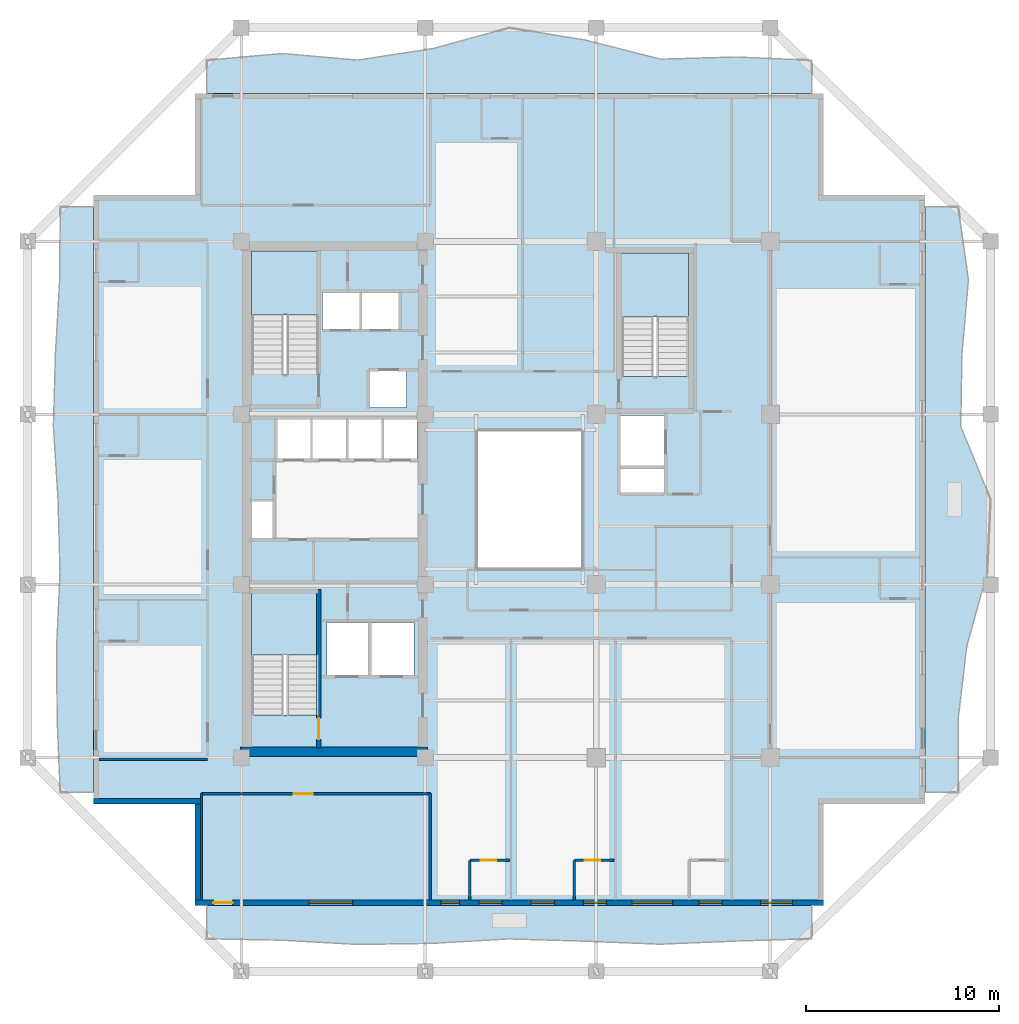
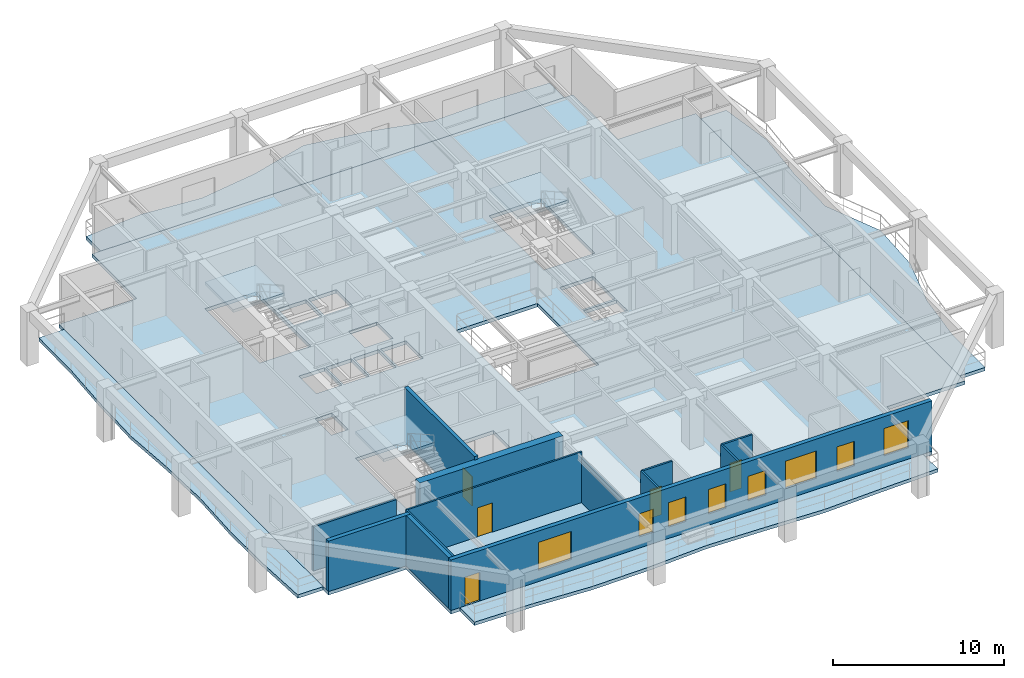
# One storey, part 2 of 13: 13 walls, 8 slabs, 8 windows, 5 doors, 13 openings, 3 elements without a shape of their own.
"""IFC4 building model written with IfcOpenShell, lengths in metres."""

from ifc_helpers import new_model, si_unit, direction, frame, frame_2d, origin, place, context, subcontext, project, spatial, polyline, rectangle, outline, extrude, material, layer, layer_set, type_object, element, fill, aggregate, save


model = new_model("IFC4")

# Units and contexts
model_context = context("Model", 3, precision=1e-05, world=origin(), true_north=direction((0.0, 1.0)))
body_context = subcontext(model_context, "Body", "Model", "MODEL_VIEW")
ifc_project = project(units=[si_unit("LENGTHUNIT", "METRE"), si_unit("AREAUNIT", "SQUARE_METRE"), si_unit("VOLUMEUNIT", "CUBIC_METRE"), si_unit("PLANEANGLEUNIT", "RADIAN"), si_unit("MASSUNIT", "GRAM", prefix="KILO")], contexts=[model_context])

# Site, building, storey
site_placement = place(None, origin())
site = spatial("IfcSite", under=ifc_project, at=site_placement, CompositionType="ELEMENT")
building_placement = place(site_placement, origin())
building = spatial("IfcBuilding", under=site, at=building_placement, Name="Kundavana Baori Tower", CompositionType="ELEMENT")
storey_placement = place(building_placement, frame((0.0, 0.0, 181.0)))
storey = spatial("IfcBuildingStorey", under=building, at=storey_placement, Name="L44", CompositionType="ELEMENT", Elevation=181.0)

# Slab
ifc_material_1 = material(Name="Concrete C40/50", Category="concrete")
ifc_layer_1 = layer(ifc_material_1, 0.25, Name="SLB-FLR-250")
ifc_layer_set_1 = layer_set([ifc_layer_1], Name="Concrete C40/50")
slab_type_1 = type_object("IfcSlabType", Name="SLB-FLR-250", PredefinedType="FLOOR", material=ifc_layer_set_1)
slab_1_placement = place(storey_placement, frame((0.0, 0.0, -0.25)))
element("IfcSlab", 1, at=slab_1_placement, inside=storey, type_object=slab_type_1, Name="L44 Structural Floor Slab", PredefinedType="FLOOR", context=body_context, shape_type="SweptSolid", body=[
    extrude(outline(polyline([(13.050048828125, 7.60009765625), (45.550048828125, 7.60009765625), (45.550048828125, 12.85009765625), (50.800048828125, 12.85009765625), (50.800048828125, 44.35009765625), (45.550048828125, 44.35009765625), (45.550048828125, 49.60009765625), (13.050048828125, 49.60009765625), (13.050048828125, 44.35009765625), (7.800048828125, 44.35009765625), (7.800048828125, 12.85009765625), (13.050048828125, 12.85009765625), (13.050048828125, 7.60009765625)]), holes=[polyline([(19.43994140625, 17.4619140625), (19.43994140625, 23.85009765625), (15.97998046875, 23.85009765625), (15.97998046875, 17.4619140625), (19.43994140625, 17.4619140625)]), polyline([(19.43994140625, 35.06201171875), (19.43994140625, 41.449951171875), (15.97998046875, 41.449951171875), (15.97998046875, 35.06201171875), (19.43994140625, 35.06201171875)]), polyline([(38.580078125, 34.9619140625), (38.580078125, 41.35009765625), (35.1201171875, 41.35009765625), (35.1201171875, 34.9619140625), (38.580078125, 34.9619140625)]), polyline([(17.300048828125, 30.699951171875), (19.02001953125, 30.699951171875), (19.02001953125, 32.75), (17.300048828125, 32.75), (17.300048828125, 30.699951171875)]), polyline([(19.139892578125, 30.699951171875), (20.860107421875, 30.699951171875), (20.860107421875, 32.75), (19.139892578125, 32.75), (19.139892578125, 30.699951171875)]), polyline([(20.97998046875, 30.699951171875), (22.699951171875, 30.699951171875), (22.699951171875, 32.75), (20.97998046875, 32.75), (20.97998046875, 30.699951171875)]), polyline([(22.820068359375, 30.699951171875), (24.5400390625, 30.699951171875), (24.5400390625, 32.75), (22.820068359375, 32.75), (22.820068359375, 30.699951171875)]), polyline([(19.64990234375, 37.39990234375), (21.550048828125, 37.39990234375), (21.550048828125, 39.300048828125), (19.64990234375, 39.300048828125), (19.64990234375, 37.39990234375)]), polyline([(21.699951171875, 37.39990234375), (23.60009765625, 37.39990234375), (23.60009765625, 39.300048828125), (21.699951171875, 39.300048828125), (21.699951171875, 37.39990234375)]), polyline([(22.10009765625, 33.35009765625), (24.0, 33.35009765625), (24.0, 35.25), (22.10009765625, 35.25), (22.10009765625, 33.35009765625)]), polyline([(19.8798828125, 19.5), (22.02001953125, 19.5), (22.02001953125, 22.25), (19.8798828125, 22.25), (19.8798828125, 19.5)]), polyline([(22.179931640625, 19.5), (24.3798828125, 19.5), (24.3798828125, 22.25), (22.179931640625, 22.25), (22.179931640625, 19.5)]), polyline([(35.050048828125, 30.35009765625), (37.300048828125, 30.35009765625), (37.300048828125, 32.949951171875), (35.050048828125, 32.949951171875), (35.050048828125, 30.35009765625)]), polyline([(15.949951171875, 26.60009765625), (17.080078125, 26.60009765625), (17.080078125, 28.5), (15.949951171875, 28.5), (15.949951171875, 26.60009765625)]), polyline([(35.050048828125, 28.949951171875), (37.300048828125, 28.949951171875), (37.300048828125, 30.199951171875), (35.050048828125, 30.199951171875), (35.050048828125, 28.949951171875)]), polyline([(27.60009765625, 25.0), (33.10009765625, 25.0), (33.10009765625, 32.199951171875), (27.60009765625, 32.199951171875), (27.60009765625, 25.0)])]), origin(), (0.0, 0.0, 1.0), 0.25),
])

# Stair, slab
ifc_material_2 = material(Name="Concrete C40/50", Category="concrete")
stair_type = type_object("IfcStairType", Name="STR-DOG-1650", PredefinedType="HALF_TURN_STAIR", material=ifc_material_2)
stair_1_placement = place(storey_placement, origin())
stair_1 = element("IfcStair", 2, at=stair_1_placement, inside=storey, type_object=stair_type, Name="L44 Protected Exit Stair ST1", PredefinedType="HALF_TURN_STAIR")
ifc_material_3 = material(Name="Concrete C40/50", Category="concrete")
ifc_layer_2 = layer(ifc_material_3, 0.199951171875, Name="SLB-LND-200")
ifc_layer_set_2 = layer_set([ifc_layer_2], Name="Concrete C40/50")
slab_type_2 = type_object("IfcSlabType", Name="SLB-LND-200", PredefinedType="LANDING", material=ifc_layer_set_2)
slab_2_placement = place(storey_placement, frame((0.0, 0.0, 1.72509765625)))
slab_2 = element("IfcSlab", 3, at=slab_2_placement, type_object=slab_type_2, Name="ST1 landing 1", PredefinedType="LANDING", context=body_context, shape_type="SweptSolid", body=[
    extrude(outline(polyline([(19.43994140625, 20.550048828125), (19.43994140625, 23.85009765625), (15.97998046875, 23.85009765625), (15.97998046875, 20.550048828125), (19.43994140625, 20.550048828125)])), origin(), (0.0, 0.0, 1.0), 0.199951171875),
])
aggregate(stair_1, [slab_2])

stair_2_placement = place(storey_placement, origin())
stair_2 = element("IfcStair", 4, at=stair_2_placement, inside=storey, type_object=stair_type, Name="L44 Protected Exit Stair ST2", PredefinedType="HALF_TURN_STAIR")
slab_3_placement = place(storey_placement, frame((0.0, 0.0, 1.72509765625)))
slab_3 = element("IfcSlab", 5, at=slab_3_placement, type_object=slab_type_2, Name="ST2 landing 1", PredefinedType="LANDING", context=body_context, shape_type="SweptSolid", body=[
    extrude(outline(polyline([(19.43994140625, 38.14990234375), (19.43994140625, 41.449951171875), (15.97998046875, 41.449951171875), (15.97998046875, 38.14990234375), (19.43994140625, 38.14990234375)])), origin(), (0.0, 0.0, 1.0), 0.199951171875),
])
aggregate(stair_2, [slab_3])

stair_3_placement = place(storey_placement, origin())
stair_3 = element("IfcStair", 6, at=stair_3_placement, inside=storey, type_object=stair_type, Name="L44 Protected Exit Stair ST3", PredefinedType="HALF_TURN_STAIR")
slab_4_placement = place(storey_placement, frame((0.0, 0.0, 1.72509765625)))
slab_4 = element("IfcSlab", 7, at=slab_4_placement, type_object=slab_type_2, Name="ST3 landing 1", PredefinedType="LANDING", context=body_context, shape_type="SweptSolid", body=[
    extrude(outline(polyline([(38.580078125, 38.050048828125), (38.580078125, 41.35009765625), (35.1201171875, 41.35009765625), (35.1201171875, 38.050048828125), (38.580078125, 38.050048828125)])), origin(), (0.0, 0.0, 1.0), 0.199951171875),
])
aggregate(stair_3, [slab_4])

# Slabs
ifc_material_4 = material(Name="Concrete C40/50", Category="concrete")
ifc_layer_3 = layer(ifc_material_4, 0.239990234375, Name="SLB-LOG-240")
ifc_layer_set_3 = layer_set([ifc_layer_3], Name="Concrete C40/50")
slab_type_3 = type_object("IfcSlabType", Name="SLB-LOG-240", PredefinedType="FLOOR", material=ifc_layer_set_3)
slab_5_placement = place(storey_placement, frame((0.0, 0.0, -0.239990234375)))
element("IfcSlab", 8, at=slab_5_placement, inside=storey, type_object=slab_type_3, Name="L44 Planted Loggia Balcony Slab S", PredefinedType="FLOOR", context=body_context, shape_type="SweptSolid", body=[
    extrude(outline(polyline([(13.64990234375, 7.60009765625), (44.949951171875, 7.60009765625), (44.949951171875, 5.8798828125), (41.0380859375, 5.760986328125), (37.125, 5.596923828125), (33.212890625, 5.75390625), (29.300048828125, 5.87109375), (25.387939453125, 5.64404296875), (21.47509765625, 5.5849609375), (17.56201171875, 5.804931640625), (13.64990234375, 5.8798828125), (13.64990234375, 7.60009765625)])), origin(), (0.0, 0.0, 1.0), 0.239990234375),
])
slab_6_placement = place(storey_placement, frame((0.0, 0.0, -0.239990234375)))
element("IfcSlab", 9, at=slab_6_placement, inside=storey, type_object=slab_type_3, Name="L44 Planted Loggia Balcony Slab E", PredefinedType="FLOOR", context=body_context, shape_type="SweptSolid", body=[
    extrude(outline(polyline([(50.800048828125, 13.449951171875), (50.800048828125, 43.75), (52.52001953125, 43.75), (53.055908203125, 39.9619140625), (52.722900390625, 36.175048828125), (52.655029296875, 32.387939453125), (54.199951171875, 28.60009765625), (54.02294921875, 24.81201171875), (52.972900390625, 21.02490234375), (52.52197265625, 17.238037109375), (52.52001953125, 13.449951171875), (50.800048828125, 13.449951171875)])), origin(), (0.0, 0.0, 1.0), 0.239990234375),
])
slab_7_placement = place(storey_placement, frame((0.0, 0.0, -0.239990234375)))
element("IfcSlab", 10, at=slab_7_placement, inside=storey, type_object=slab_type_3, Name="L44 Planted Loggia Balcony Slab N", PredefinedType="FLOOR", context=body_context, shape_type="SweptSolid", body=[
    extrude(outline(polyline([(44.949951171875, 49.60009765625), (13.64990234375, 49.60009765625), (13.64990234375, 51.320068359375), (17.56201171875, 51.6650390625), (21.47509765625, 51.325927734375), (25.387939453125, 51.929931640625), (29.300048828125, 53.0), (33.212890625, 52.368896484375), (37.125, 51.3740234375), (41.0380859375, 51.487060546875), (44.949951171875, 51.320068359375), (44.949951171875, 49.60009765625)])), origin(), (0.0, 0.0, 1.0), 0.239990234375),
])
slab_8_placement = place(storey_placement, frame((0.0, 0.0, -0.239990234375)))
element("IfcSlab", 11, at=slab_8_placement, inside=storey, type_object=slab_type_3, Name="L44 Planted Loggia Balcony Slab W", PredefinedType="FLOOR", context=body_context, shape_type="SweptSolid", body=[
    extrude(outline(polyline([(7.800048828125, 43.75), (7.800048828125, 13.449951171875), (6.080078125, 13.449951171875), (5.919921875, 17.238037109375), (5.89599609375, 21.02490234375), (6.068115234375, 24.81201171875), (5.967041015625, 28.60009765625), (5.72607421875, 32.387939453125), (5.833984375, 36.175048828125), (6.052978515625, 39.9619140625), (6.080078125, 43.75), (7.800048828125, 43.75)])), origin(), (0.0, 0.0, 1.0), 0.239990234375),
])

# Wall, opening, door
ifc_material_5 = material(Name="Concrete C50/60", Category="concrete")
ifc_layer_4 = layer(ifc_material_5, 0.39990234375, Name="WL-CORE-400")
ifc_layer_set_4 = layer_set([ifc_layer_4], Name="Concrete C50/60")
wall_type_1 = type_object("IfcWallType", Name="WL-CORE-400", PredefinedType="SHEAR", material=ifc_layer_set_4)
wall_1_placement = place(storey_placement, frame((19.4599609375, 15.739990234375, 0.0), z_axis=(0.0, 0.0, 1.0), x_axis=(0.0, 1.0, 0.0)))
wall_1 = element("IfcWall", 12, at=wall_1_placement, inside=storey, type_object=wall_type_1, Name="WL-L44-ST1-E", PredefinedType="SHEAR", context=body_context, shape_type="SweptSolid", body=[
    extrude(rectangle(XDim=8.199951171875, YDim=0.239990234375, at=frame_2d((4.10009765625, 0.0))), origin(), (0.0, 0.0, 1.0), 3.85009765625),
])
opening_1_placement = place(wall_1_placement, frame((0.449951171875, 0.0, 0.0)))
opening_1 = element("IfcOpeningElement", 13, at=opening_1_placement, cuts=wall_1, Name="Opening FD-110", PredefinedType="OPENING", context=body_context, shape_type="SweptSolid", body=[
    extrude(rectangle(XDim=1.10009765625, YDim=2.10009765625, at=frame_2d((0.550048828125, 1.050048828125))), frame((0.0, 0.1298828125, 0.0), z_axis=(0.0, -1.0, 0.0), x_axis=(1.0, 0.0, 0.0)), (0.0, 0.0, 1.0), 0.260009765625),
])
ifc_material_6 = material(Name="Galvanised Steel Fire-Rated Door Leaf", Category="steel")
door_type_1 = type_object("IfcDoorType", Name="DR-FD120-1100", OperationType="NOTDEFINED", PredefinedType="DOOR", material=ifc_material_6)
door_1_placement = place(opening_1_placement, origin())
door_1 = element("IfcDoor", 14, at=door_1_placement, inside=storey, type_object=door_type_1, Name="DR-L44-ST1", OperationType="SINGLE_SWING_LEFT", OverallHeight=2.10009765625, OverallWidth=1.10009765625, PredefinedType="DOOR", context=body_context, shape_type="SweptSolid", body=[
    extrude(rectangle(XDim=1.10009765625, YDim=2.10009765625, at=frame_2d((0.550048828125, 1.050048828125))), frame((0.0, 0.02490234375, 0.0), z_axis=(0.0, -1.0, 0.0), x_axis=(1.0, 0.0, 0.0)), (0.0, 0.0, 1.0), 0.050048828125),
])
fill(opening_1, door_1)

# Wall
ifc_material_7 = material(Name="Concrete C50/60", Category="concrete")
ifc_layer_5 = layer(ifc_material_7, 0.5, Name="WL-CORE-500")
ifc_layer_set_5 = layer_set([ifc_layer_5], Name="Concrete C50/60")
wall_type_2 = type_object("IfcWallType", Name="WL-CORE-500", PredefinedType="SHEAR", material=ifc_layer_set_5)
wall_2_placement = place(storey_placement, frame((15.39990234375, 15.56005859375, 0.0), z_axis=(0.0, 0.0, 1.0), x_axis=(1.0, 0.0, 0.0)))
element("IfcWall", 15, at=wall_2_placement, inside=storey, type_object=wall_type_2, Name="L44 Offset Core South Shear Wall", PredefinedType="SHEAR", context=body_context, shape_type="SweptSolid", body=[
    extrude(rectangle(XDim=9.68017578125, YDim=0.5, at=frame_2d((4.840087890625, 0.0))), origin(), (0.0, 0.0, 1.0), 3.60009765625),
])

# Wall, openings, door, windows
ifc_material_8 = material(Name="Red-Buff Dholpur Sandstone Cladding on Concrete C40/50", Category="masonry")
ifc_layer_6 = layer(ifc_material_8, 0.280029296875, Name="WL-EXT-SAND-280")
ifc_layer_set_6 = layer_set([ifc_layer_6], Name="Red-Buff Dholpur Sandstone Cladding on Concrete C40/50")
wall_type_3 = type_object("IfcWallType", Name="WL-EXT-SAND-280", PredefinedType="STANDARD", material=ifc_layer_set_6)
wall_3_placement = place(storey_placement, frame((13.050048828125, 7.739990234375, 0.0), z_axis=(0.0, 0.0, 1.0), x_axis=(1.0, 0.0, 0.0)))
wall_3 = element("IfcWall", 16, at=wall_3_placement, inside=storey, type_object=wall_type_3, Name="L44 Exterior Insulated Facade Wall 01", PredefinedType="STANDARD", context=body_context, shape_type="SweptSolid", body=[
    extrude(rectangle(XDim=32.5, YDim=0.280029296875, at=frame_2d((16.25, 0.0))), origin(), (0.0, 0.0, 1.0), 3.60009765625),
])
opening_2_placement = place(wall_3_placement, frame((0.949951171875, 0.0, 0.0)))
opening_2 = element("IfcOpeningElement", 17, at=opening_2_placement, cuts=wall_3, Name="Opening BD-1", PredefinedType="OPENING", context=body_context, shape_type="SweptSolid", body=[
    extrude(rectangle(XDim=1.0, YDim=2.050048828125, at=frame_2d((0.5, 1.02490234375))), frame((0.0, 0.14990234375, 0.0), z_axis=(0.0, -1.0, 0.0), x_axis=(1.0, 0.0, 0.0)), (0.0, 0.0, 1.0), 0.300048828125),
])
opening_3_placement = place(wall_3_placement, frame((5.905029296875, 0.0, 0.800048828125)))
opening_3 = element("IfcOpeningElement", 18, at=opening_3_placement, cuts=wall_3, Name="Opening W-10", PredefinedType="OPENING", context=body_context, shape_type="SweptSolid", body=[
    extrude(rectangle(XDim=2.25, YDim=2.0, at=frame_2d((1.125, 1.0))), frame((0.0, 0.14990234375, 0.0), z_axis=(0.0, -1.0, 0.0), x_axis=(1.0, 0.0, 0.0)), (0.0, 0.0, 1.0), 0.300048828125),
])
opening_4_placement = place(wall_3_placement, frame((12.719970703125, 0.0, 0.800048828125)))
opening_4 = element("IfcOpeningElement", 19, at=opening_4_placement, cuts=wall_3, Name="Opening W-13", PredefinedType="OPENING", context=body_context, shape_type="SweptSolid", body=[
    extrude(rectangle(XDim=0.949951171875, YDim=1.64990234375, at=frame_2d((0.47509765625, 0.824951171875))), frame((0.0, 0.14990234375, 0.0), z_axis=(0.0, -1.0, 0.0), x_axis=(1.0, 0.0, 0.0)), (0.0, 0.0, 1.0), 0.300048828125),
])
opening_5_placement = place(wall_3_placement, frame((14.68505859375, 0.0, 0.800048828125)))
opening_5 = element("IfcOpeningElement", 20, at=opening_5_placement, cuts=wall_3, Name="Opening W-03", PredefinedType="OPENING", context=body_context, shape_type="SweptSolid", body=[
    extrude(rectangle(XDim=1.199951171875, YDim=1.75, at=frame_2d((0.60009765625, 0.875))), frame((0.0, 0.14990234375, 0.0), z_axis=(0.0, -1.0, 0.0), x_axis=(1.0, 0.0, 0.0)), (0.0, 0.0, 1.0), 0.300048828125),
])
opening_6_placement = place(wall_3_placement, frame((17.385009765625, 0.0, 0.800048828125)))
opening_6 = element("IfcOpeningElement", 21, at=opening_6_placement, cuts=wall_3, Name="Opening W-03", PredefinedType="OPENING", context=body_context, shape_type="SweptSolid", body=[
    extrude(rectangle(XDim=1.199951171875, YDim=1.75, at=frame_2d((0.60009765625, 0.875))), frame((0.0, 0.14990234375, 0.0), z_axis=(0.0, -1.0, 0.0), x_axis=(1.0, 0.0, 0.0)), (0.0, 0.0, 1.0), 0.300048828125),
])
opening_7_placement = place(wall_3_placement, frame((20.0849609375, 0.0, 0.800048828125)))
opening_7 = element("IfcOpeningElement", 22, at=opening_7_placement, cuts=wall_3, Name="Opening W-03", PredefinedType="OPENING", context=body_context, shape_type="SweptSolid", body=[
    extrude(rectangle(XDim=1.199951171875, YDim=1.75, at=frame_2d((0.60009765625, 0.875))), frame((0.0, 0.14990234375, 0.0), z_axis=(0.0, -1.0, 0.0), x_axis=(1.0, 0.0, 0.0)), (0.0, 0.0, 1.0), 0.300048828125),
])
opening_8_placement = place(wall_3_placement, frame((22.60498046875, 0.0, 0.800048828125)))
opening_8 = element("IfcOpeningElement", 23, at=opening_8_placement, cuts=wall_3, Name="Opening W-05", PredefinedType="OPENING", context=body_context, shape_type="SweptSolid", body=[
    extrude(rectangle(XDim=2.10009765625, YDim=1.949951171875, at=frame_2d((1.050048828125, 0.97509765625))), frame((0.0, 0.14990234375, 0.0), z_axis=(0.0, -1.0, 0.0), x_axis=(1.0, 0.0, 0.0)), (0.0, 0.0, 1.0), 0.300048828125),
])
opening_9_placement = place(wall_3_placement, frame((26.06494140625, 0.0, 0.800048828125)))
opening_9 = element("IfcOpeningElement", 24, at=opening_9_placement, cuts=wall_3, Name="Opening W-03", PredefinedType="OPENING", context=body_context, shape_type="SweptSolid", body=[
    extrude(rectangle(XDim=1.199951171875, YDim=1.75, at=frame_2d((0.60009765625, 0.875))), frame((0.0, 0.14990234375, 0.0), z_axis=(0.0, -1.0, 0.0), x_axis=(1.0, 0.0, 0.0)), (0.0, 0.0, 1.0), 0.300048828125),
])
opening_10_placement = place(wall_3_placement, frame((29.2548828125, 0.0, 0.800048828125)))
opening_10 = element("IfcOpeningElement", 25, at=opening_10_placement, cuts=wall_3, Name="Opening W-08", PredefinedType="OPENING", context=body_context, shape_type="SweptSolid", body=[
    extrude(rectangle(XDim=1.64990234375, YDim=1.949951171875, at=frame_2d((0.824951171875, 0.97509765625))), frame((0.0, 0.14990234375, 0.0), z_axis=(0.0, -1.0, 0.0), x_axis=(1.0, 0.0, 0.0)), (0.0, 0.0, 1.0), 0.300048828125),
])
ifc_material_9 = material(Name="Architectural Patinated Bronze Metalwork")
door_type_2 = type_object("IfcDoorType", Name="DR-EXT-LOG-1000", OperationType="NOTDEFINED", PredefinedType="DOOR", material=ifc_material_9)
door_2_placement = place(opening_2_placement, frame((1.0, 0.0, 0.0), z_axis=(0.0, 0.0, 1.0), x_axis=(-1.0, 0.0, 0.0)))
door_2 = element("IfcDoor", 26, at=door_2_placement, inside=storey, type_object=door_type_2, Name="L44 Loggia Balcony Access Door S", OperationType="SINGLE_SWING_LEFT", OverallHeight=2.050048828125, OverallWidth=1.0, PredefinedType="DOOR", context=body_context, shape_type="SweptSolid", body=[
    extrude(rectangle(XDim=1.0, YDim=2.050048828125, at=frame_2d((0.5, 1.02490234375))), frame((0.0, 0.02490234375, 0.0), z_axis=(0.0, -1.0, 0.0), x_axis=(1.0, 0.0, 0.0)), (0.0, 0.0, 1.0), 0.050048828125),
])
fill(opening_2, door_2)
ifc_material_10 = material(Name="Double-Glazed Solar-Control Low-E Insulated Glass", Category="glass")
window_type_1 = type_object("IfcWindowType", Name="WIN-LOG-1200x1750", PartitioningType="SINGLE_PANEL", PredefinedType="WINDOW", material=ifc_material_10)
window_1_placement = place(opening_5_placement, origin())
window_1 = element("IfcWindow", 27, at=window_1_placement, inside=storey, type_object=window_type_1, Name="L44 Recessed Loggia Window S-3", OverallHeight=1.75, OverallWidth=1.199951171875, PartitioningType="SINGLE_PANEL", PredefinedType="WINDOW", context=body_context, shape_type="SweptSolid", body=[
    extrude(rectangle(XDim=1.199951171875, YDim=1.75, at=frame_2d((0.60009765625, 0.875))), frame((0.0, 0.030029296875, 0.0), z_axis=(0.0, -1.0, 0.0), x_axis=(1.0, 0.0, 0.0)), (0.0, 0.0, 1.0), 0.06005859375),
])
fill(opening_5, window_1)
window_2_placement = place(opening_6_placement, origin())
window_2 = element("IfcWindow", 28, at=window_2_placement, inside=storey, type_object=window_type_1, Name="L44 Recessed Loggia Window S-4", OverallHeight=1.75, OverallWidth=1.199951171875, PartitioningType="SINGLE_PANEL", PredefinedType="WINDOW", context=body_context, shape_type="SweptSolid", body=[
    extrude(rectangle(XDim=1.199951171875, YDim=1.75, at=frame_2d((0.60009765625, 0.875))), frame((0.0, 0.030029296875, 0.0), z_axis=(0.0, -1.0, 0.0), x_axis=(1.0, 0.0, 0.0)), (0.0, 0.0, 1.0), 0.06005859375),
])
fill(opening_6, window_2)
window_3_placement = place(opening_7_placement, origin())
window_3 = element("IfcWindow", 29, at=window_3_placement, inside=storey, type_object=window_type_1, Name="L44 Recessed Loggia Window S-5", OverallHeight=1.75, OverallWidth=1.199951171875, PartitioningType="SINGLE_PANEL", PredefinedType="WINDOW", context=body_context, shape_type="SweptSolid", body=[
    extrude(rectangle(XDim=1.199951171875, YDim=1.75, at=frame_2d((0.60009765625, 0.875))), frame((0.0, 0.030029296875, 0.0), z_axis=(0.0, -1.0, 0.0), x_axis=(1.0, 0.0, 0.0)), (0.0, 0.0, 1.0), 0.06005859375),
])
fill(opening_7, window_3)
window_4_placement = place(opening_9_placement, origin())
window_4 = element("IfcWindow", 30, at=window_4_placement, inside=storey, type_object=window_type_1, Name="L44 Recessed Loggia Window S-7", OverallHeight=1.75, OverallWidth=1.199951171875, PartitioningType="SINGLE_PANEL", PredefinedType="WINDOW", context=body_context, shape_type="SweptSolid", body=[
    extrude(rectangle(XDim=1.199951171875, YDim=1.75, at=frame_2d((0.60009765625, 0.875))), frame((0.0, 0.030029296875, 0.0), z_axis=(0.0, -1.0, 0.0), x_axis=(1.0, 0.0, 0.0)), (0.0, 0.0, 1.0), 0.06005859375),
])
fill(opening_9, window_4)
ifc_material_11 = material(Name="Double-Glazed Solar-Control Low-E Insulated Glass", Category="glass")
window_type_2 = type_object("IfcWindowType", Name="WIN-LOG-1650x1950", PartitioningType="SINGLE_PANEL", PredefinedType="WINDOW", material=ifc_material_11)
window_5_placement = place(opening_10_placement, origin())
window_5 = element("IfcWindow", 31, at=window_5_placement, inside=storey, type_object=window_type_2, Name="L44 Recessed Loggia Window S-8", OverallHeight=1.949951171875, OverallWidth=1.64990234375, PartitioningType="SINGLE_PANEL", PredefinedType="WINDOW", context=body_context, shape_type="SweptSolid", body=[
    extrude(rectangle(XDim=1.64990234375, YDim=1.949951171875, at=frame_2d((0.824951171875, 0.97509765625))), frame((0.0, 0.030029296875, 0.0), z_axis=(0.0, -1.0, 0.0), x_axis=(1.0, 0.0, 0.0)), (0.0, 0.0, 1.0), 0.06005859375),
])
fill(opening_10, window_5)
ifc_material_12 = material(Name="Double-Glazed Solar-Control Low-E Insulated Glass", Category="glass")
window_type_3 = type_object("IfcWindowType", Name="WIN-LOG-2100x1950", PartitioningType="SINGLE_PANEL", PredefinedType="WINDOW", material=ifc_material_12)
window_6_placement = place(opening_8_placement, origin())
window_6 = element("IfcWindow", 32, at=window_6_placement, inside=storey, type_object=window_type_3, Name="L44 Recessed Loggia Window S-6", OverallHeight=1.949951171875, OverallWidth=2.10009765625, PartitioningType="SINGLE_PANEL", PredefinedType="WINDOW", context=body_context, shape_type="SweptSolid", body=[
    extrude(rectangle(XDim=2.10009765625, YDim=1.949951171875, at=frame_2d((1.050048828125, 0.97509765625))), frame((0.0, 0.030029296875, 0.0), z_axis=(0.0, -1.0, 0.0), x_axis=(1.0, 0.0, 0.0)), (0.0, 0.0, 1.0), 0.06005859375),
])
fill(opening_8, window_6)
ifc_material_13 = material(Name="Double-Glazed Solar-Control Low-E Insulated Glass", Category="glass")
window_type_4 = type_object("IfcWindowType", Name="WIN-LOG-2250x2000", PartitioningType="SINGLE_PANEL", PredefinedType="WINDOW", material=ifc_material_13)
window_7_placement = place(opening_3_placement, origin())
window_7 = element("IfcWindow", 33, at=window_7_placement, inside=storey, type_object=window_type_4, Name="L44 Recessed Loggia Window S-1", OverallHeight=2.0, OverallWidth=2.25, PartitioningType="SINGLE_PANEL", PredefinedType="WINDOW", context=body_context, shape_type="SweptSolid", body=[
    extrude(rectangle(XDim=2.25, YDim=2.0, at=frame_2d((1.125, 1.0))), frame((0.0, 0.030029296875, 0.0), z_axis=(0.0, -1.0, 0.0), x_axis=(1.0, 0.0, 0.0)), (0.0, 0.0, 1.0), 0.06005859375),
])
fill(opening_3, window_7)
ifc_material_14 = material(Name="Double-Glazed Solar-Control Low-E Insulated Glass", Category="glass")
window_type_5 = type_object("IfcWindowType", Name="WIN-LOG-950x1650", PartitioningType="SINGLE_PANEL", PredefinedType="WINDOW", material=ifc_material_14)
window_8_placement = place(opening_4_placement, origin())
window_8 = element("IfcWindow", 34, at=window_8_placement, inside=storey, type_object=window_type_5, Name="L44 Recessed Loggia Window S-2", OverallHeight=1.64990234375, OverallWidth=0.949951171875, PartitioningType="SINGLE_PANEL", PredefinedType="WINDOW", context=body_context, shape_type="SweptSolid", body=[
    extrude(rectangle(XDim=0.949951171875, YDim=1.64990234375, at=frame_2d((0.47509765625, 0.824951171875))), frame((0.0, 0.030029296875, 0.0), z_axis=(0.0, -1.0, 0.0), x_axis=(1.0, 0.0, 0.0)), (0.0, 0.0, 1.0), 0.06005859375),
])
fill(opening_4, window_8)

# Walls
wall_4_placement = place(storey_placement, frame((7.800048828125, 12.989990234375, 0.0), z_axis=(0.0, 0.0, 1.0), x_axis=(1.0, 0.0, 0.0)))
element("IfcWall", 35, at=wall_4_placement, inside=storey, type_object=wall_type_3, Name="L44 Exterior Insulated Facade Wall 11", PredefinedType="STANDARD", context=body_context, shape_type="SweptSolid", body=[
    extrude(rectangle(XDim=5.530029296875, YDim=0.280029296875, at=frame_2d((2.76513671875, 0.0))), origin(), (0.0, 0.0, 1.0), 3.60009765625),
])
wall_5_placement = place(storey_placement, frame((13.18994140625, 12.85009765625, 0.0), z_axis=(0.0, 0.0, 1.0), x_axis=(0.0, -1.0, 0.0)))
element("IfcWall", 36, at=wall_5_placement, inside=storey, type_object=wall_type_3, Name="L44 Exterior Insulated Facade Wall 12", PredefinedType="STANDARD", context=body_context, shape_type="SweptSolid", body=[
    extrude(rectangle(XDim=4.97021484375, YDim=0.280029296875, at=frame_2d((2.485107421875, 0.0))), origin(), (0.0, 0.0, 1.0), 3.60009765625),
])
ifc_material_15 = material(Name="Acoustic Gypsum Plasterboard on Galvanised Steel Studs", Category="steel")
ifc_layer_7 = layer(ifc_material_15, 0.1201171875, Name="WL-PART-120")
ifc_layer_set_7 = layer_set([ifc_layer_7], Name="Acoustic Gypsum Plasterboard on Galvanised Steel Studs")
wall_type_4 = type_object("IfcWallType", Name="WL-PART-120", PredefinedType="PARTITIONING", material=ifc_layer_set_7)
wall_6_placement = place(storey_placement, frame((8.080078125, 15.159912109375, 0.0), z_axis=(0.0, 0.0, 1.0), x_axis=(1.0, 0.0, 0.0)))
element("IfcWall", 37, at=wall_6_placement, inside=storey, type_object=wall_type_4, Name="WL-L44-HWS", PredefinedType="PARTITIONING", context=body_context, shape_type="SweptSolid", body=[
    extrude(rectangle(XDim=5.619873046875, YDim=0.1201171875, at=frame_2d((2.81005859375, 0.0))), origin(), (0.0, 0.0, 1.0), 3.14990234375),
])

# Wall, opening, door
wall_7_placement = place(storey_placement, frame((13.389892578125, 13.3798828125, 0.0), z_axis=(0.0, 0.0, 1.0), x_axis=(1.0, 0.0, 0.0)))
wall_7 = element("IfcWall", 38, at=wall_7_placement, inside=storey, type_object=wall_type_4, Name="WL-L44-HSC", PredefinedType="PARTITIONING", context=body_context, shape_type="SweptSolid", body=[
    extrude(rectangle(XDim=11.830078125, YDim=0.1201171875, at=frame_2d((5.9150390625, 0.0))), origin(), (0.0, 0.0, 1.0), 3.60009765625),
])
opening_11_placement = place(wall_7_placement, frame((4.760009765625, 0.0, 0.0)))
opening_11 = element("IfcOpeningElement", 39, at=opening_11_placement, cuts=wall_7, Name="Opening ID-100", PredefinedType="OPENING", context=body_context, shape_type="SweptSolid", body=[
    extrude(rectangle(XDim=1.0, YDim=2.080078125, at=frame_2d((0.5, 1.0400390625))), frame((0.0, 0.070068359375, 0.0), z_axis=(0.0, -1.0, 0.0), x_axis=(1.0, 0.0, 0.0)), (0.0, 0.0, 1.0), 0.14013671875),
])
ifc_material_16 = material(Name="Engineered Teak Solid-Core Timber Veneer", Category="wood")
door_type_3 = type_object("IfcDoorType", Name="DR-INT-1000", OperationType="NOTDEFINED", PredefinedType="DOOR", material=ifc_material_16)
door_3_placement = place(opening_11_placement, frame((1.0, 0.0, 0.0), z_axis=(0.0, 0.0, 1.0), x_axis=(-1.0, 0.0, 0.0)))
door_3 = element("IfcDoor", 40, at=door_3_placement, inside=storey, type_object=door_type_3, Name="DR-L44-HMSW", OperationType="SINGLE_SWING_LEFT", OverallHeight=2.080078125, OverallWidth=1.0, PredefinedType="DOOR", context=body_context, shape_type="SweptSolid", body=[
    extrude(rectangle(XDim=1.0, YDim=2.080078125, at=frame_2d((0.5, 1.0400390625))), frame((0.0, 0.02490234375, 0.0), z_axis=(0.0, -1.0, 0.0), x_axis=(1.0, 0.0, 0.0)), (0.0, 0.0, 1.0), 0.050048828125),
])
fill(opening_11, door_3)

# Walls
wall_8_placement = place(storey_placement, frame((13.389892578125, 7.8798828125, 0.0), z_axis=(0.0, 0.0, 1.0), x_axis=(0.0, 1.0, 0.0)))
element("IfcWall", 41, at=wall_8_placement, inside=storey, type_object=wall_type_4, Name="WL-L44-HSCW", PredefinedType="PARTITIONING", context=body_context, shape_type="SweptSolid", body=[
    extrude(rectangle(XDim=5.5, YDim=0.1201171875, at=frame_2d((2.75, 0.0))), origin(), (0.0, 0.0, 1.0), 3.60009765625),
])
wall_9_placement = place(storey_placement, frame((25.219970703125, 7.8798828125, 0.0), z_axis=(0.0, 0.0, 1.0), x_axis=(0.0, 1.0, 0.0)))
element("IfcWall", 42, at=wall_9_placement, inside=storey, type_object=wall_type_4, Name="WL-L44-HSCE", PredefinedType="PARTITIONING", context=body_context, shape_type="SweptSolid", body=[
    extrude(rectangle(XDim=5.5, YDim=0.1201171875, at=frame_2d((2.75, 0.0))), origin(), (0.0, 0.0, 1.0), 3.14990234375),
])
ifc_material_17 = material(Name="Autoclaved Aerated Concrete Blockwork Masonry", Category="masonry")
ifc_layer_8 = layer(ifc_material_17, 0.125, Name="WL-WET-120")
ifc_layer_set_8 = layer_set([ifc_layer_8], Name="Autoclaved Aerated Concrete Blockwork Masonry")
wall_type_5 = type_object("IfcWallType", Name="WL-WET-120", PredefinedType="PLUMBINGWALL", material=ifc_layer_set_8)
wall_10_placement = place(storey_placement, frame((27.27001953125, 7.8798828125, 0.0), z_axis=(0.0, 0.0, 1.0), x_axis=(0.0, 1.0, 0.0)))
element("IfcWall", 43, at=wall_10_placement, inside=storey, type_object=wall_type_5, Name="WL-L44-HK-S1-BW", PredefinedType="PLUMBINGWALL", context=body_context, shape_type="SweptSolid", body=[
    extrude(rectangle(XDim=2.050048828125, YDim=0.125, at=frame_2d((1.02490234375, 0.0))), origin(), (0.0, 0.0, 1.0), 3.60009765625),
])

# Wall, opening, door
wall_11_placement = place(storey_placement, frame((27.27001953125, 9.929931640625, 0.0), z_axis=(0.0, 0.0, 1.0), x_axis=(1.0, 0.0, 0.0)))
wall_11 = element("IfcWall", 44, at=wall_11_placement, inside=storey, type_object=wall_type_5, Name="WL-L44-HK-S1-BN", PredefinedType="PLUMBINGWALL", context=body_context, shape_type="SweptSolid", body=[
    extrude(rectangle(XDim=2.050048828125, YDim=0.125, at=frame_2d((1.02490234375, 0.0))), origin(), (0.0, 0.0, 1.0), 3.60009765625),
])
opening_12_placement = place(wall_11_placement, frame((0.550048828125, 0.0, 0.0)))
opening_12 = element("IfcOpeningElement", 45, at=opening_12_placement, cuts=wall_11, Name="Opening WD-080", PredefinedType="OPENING", context=body_context, shape_type="SweptSolid", body=[
    extrude(rectangle(XDim=0.800048828125, YDim=2.050048828125, at=frame_2d((0.39990234375, 1.02490234375))), frame((0.0, 0.072509765625, 0.0), z_axis=(0.0, -1.0, 0.0), x_axis=(1.0, 0.0, 0.0)), (0.0, 0.0, 1.0), 0.14501953125),
])
ifc_material_18 = material(Name="Engineered Teak Solid-Core Timber Veneer", Category="wood")
door_type_4 = type_object("IfcDoorType", Name="DR-WET-800", OperationType="NOTDEFINED", PredefinedType="DOOR", material=ifc_material_18)
door_4_placement = place(opening_12_placement, origin())
door_4 = element("IfcDoor", 46, at=door_4_placement, inside=storey, type_object=door_type_4, Name="DR-L44-HK-S1-ENS", OperationType="SINGLE_SWING_LEFT", OverallHeight=2.050048828125, OverallWidth=0.800048828125, PredefinedType="DOOR", context=body_context, shape_type="SweptSolid", body=[
    extrude(rectangle(XDim=0.800048828125, YDim=2.050048828125, at=frame_2d((0.39990234375, 1.02490234375))), frame((0.0, 0.02490234375, 0.0), z_axis=(0.0, -1.0, 0.0), x_axis=(1.0, 0.0, 0.0)), (0.0, 0.0, 1.0), 0.050048828125),
])
fill(opening_12, door_4)

# Wall
wall_12_placement = place(storey_placement, frame((32.669921875, 7.8798828125, 0.0), z_axis=(0.0, 0.0, 1.0), x_axis=(0.0, 1.0, 0.0)))
element("IfcWall", 47, at=wall_12_placement, inside=storey, type_object=wall_type_5, Name="WL-L44-HK-S2-BW", PredefinedType="PLUMBINGWALL", context=body_context, shape_type="SweptSolid", body=[
    extrude(rectangle(XDim=2.050048828125, YDim=0.125, at=frame_2d((1.02490234375, 0.0))), origin(), (0.0, 0.0, 1.0), 3.60009765625),
])

# Wall, opening, door
wall_13_placement = place(storey_placement, frame((32.669921875, 9.929931640625, 0.0), z_axis=(0.0, 0.0, 1.0), x_axis=(1.0, 0.0, 0.0)))
wall_13 = element("IfcWall", 48, at=wall_13_placement, inside=storey, type_object=wall_type_5, Name="WL-L44-HK-S2-BN", PredefinedType="PLUMBINGWALL", context=body_context, shape_type="SweptSolid", body=[
    extrude(rectangle(XDim=2.050048828125, YDim=0.125, at=frame_2d((1.02490234375, 0.0))), origin(), (0.0, 0.0, 1.0), 3.60009765625),
])
opening_13_placement = place(wall_13_placement, frame((0.550048828125, 0.0, 0.0)))
opening_13 = element("IfcOpeningElement", 49, at=opening_13_placement, cuts=wall_13, Name="Opening WD-080", PredefinedType="OPENING", context=body_context, shape_type="SweptSolid", body=[
    extrude(rectangle(XDim=0.800048828125, YDim=2.050048828125, at=frame_2d((0.39990234375, 1.02490234375))), frame((0.0, 0.072509765625, 0.0), z_axis=(0.0, -1.0, 0.0), x_axis=(1.0, 0.0, 0.0)), (0.0, 0.0, 1.0), 0.14501953125),
])
door_5_placement = place(opening_13_placement, origin())
door_5 = element("IfcDoor", 50, at=door_5_placement, inside=storey, type_object=door_type_4, Name="DR-L44-HK-S2-ENS", OperationType="SINGLE_SWING_LEFT", OverallHeight=2.050048828125, OverallWidth=0.800048828125, PredefinedType="DOOR", context=body_context, shape_type="SweptSolid", body=[
    extrude(rectangle(XDim=0.800048828125, YDim=2.050048828125, at=frame_2d((0.39990234375, 1.02490234375))), frame((0.0, 0.02490234375, 0.0), z_axis=(0.0, -1.0, 0.0), x_axis=(1.0, 0.0, 0.0)), (0.0, 0.0, 1.0), 0.050048828125),
])
fill(opening_13, door_5)

save(model, "model.ifc")
